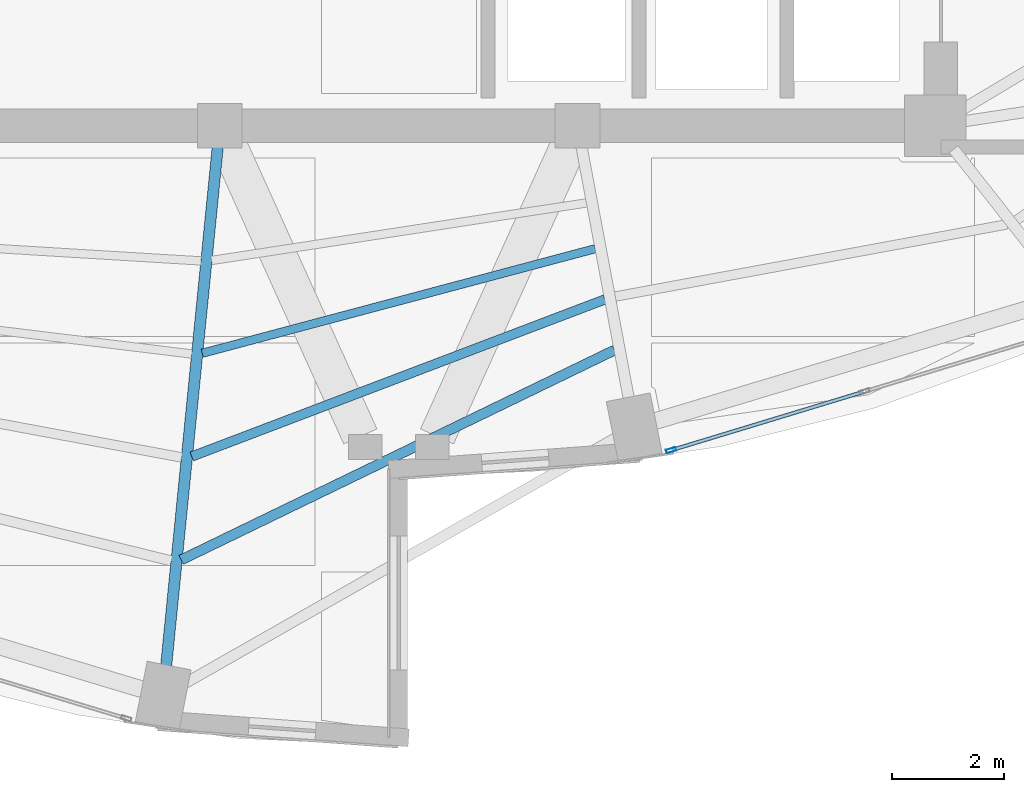
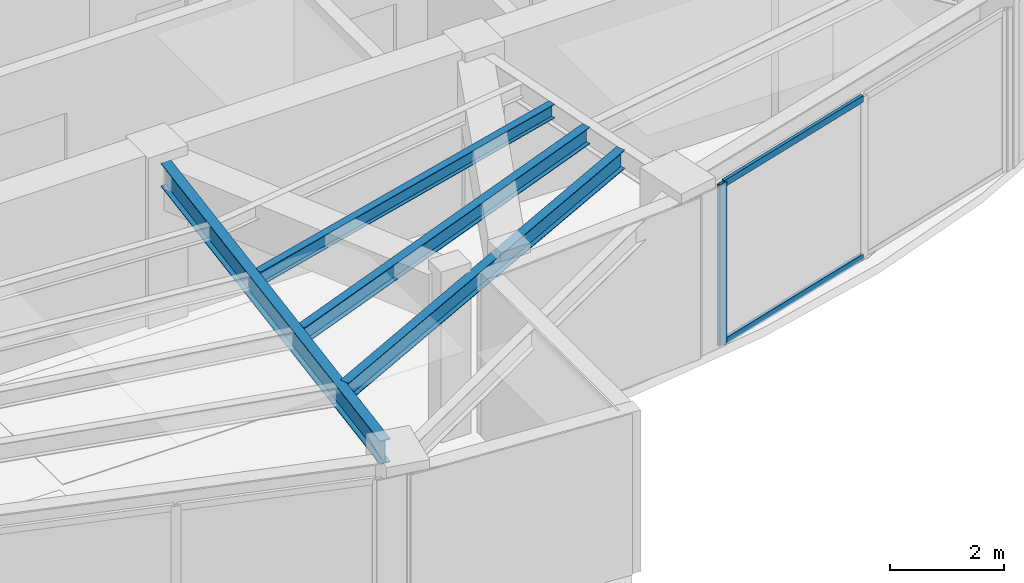
# One storey, part 6 of 22: 4 beams, 3 members, 1 element without a shape of its own.
"""IFC4 building model written with IfcOpenShell, lengths in metres."""

from ifc_helpers import new_model, si_unit, direction, frame, origin, origin_2d, place, context, subcontext, project, spatial, hollow_rectangle, i_section, extrude, material, layer, layer_set, material_profile, profile_set, type_object, element, aggregate, save


model = new_model("IFC4")

# Units and contexts
model_context = context("Model", 3, precision=1e-05, world=origin(), true_north=direction((0.0, 1.0)))
body_context = subcontext(model_context, "Body", "Model", "MODEL_VIEW")
ifc_project = project(units=[si_unit("LENGTHUNIT", "METRE"), si_unit("AREAUNIT", "SQUARE_METRE"), si_unit("VOLUMEUNIT", "CUBIC_METRE"), si_unit("PLANEANGLEUNIT", "RADIAN"), si_unit("MASSUNIT", "GRAM", prefix="KILO")], contexts=[model_context])

# Site, building, storey
site_placement = place(None, origin())
site = spatial("IfcSite", under=ifc_project, at=site_placement, CompositionType="ELEMENT")
building_placement = place(site_placement, origin())
building = spatial("IfcBuilding", under=site, at=building_placement, Name="Lazwardi Medical Tower", CompositionType="ELEMENT")
storey_placement = place(building_placement, frame((0.0, 0.0, 227.6640625)))
storey = spatial("IfcBuildingStorey", under=building, at=storey_placement, Name="L59", CompositionType="ELEMENT", Elevation=227.6640625)

# Beams
ifc_material_1 = material(Name="Steel S355", Category="steel")
ifc_material_profile_1 = material_profile(ifc_material_1, i_section(OverallWidth=0.199951171875, OverallDepth=0.5, WebThickness=0.01025390625, FlangeThickness=0.01611328125, at=origin_2d()), Name="IPE 500")
ifc_profile_set_1 = profile_set([ifc_material_profile_1], Name="Steel S355")
beam_type_1 = type_object("IfcBeamType", Name="BM-RG-W3", PredefinedType="BEAM", material=ifc_profile_set_1)
beam_1_placement = place(storey_placement, frame((31.8388671875, 10.734130859375, 3.197998046875), z_axis=(0.098954361922, 0.995091972763, 0.0), x_axis=(-0.995091972763, 0.098954361922, 0.0)))
element("IfcBeam", 1, at=beam_1_placement, inside=storey, type_object=beam_type_1, Name="Radial girder RG-04 R16 L59", PredefinedType="BEAM", context=body_context, shape_type="SweptSolid", body=[
    extrude(i_section(OverallWidth=0.199951171875, OverallDepth=0.5, WebThickness=0.01025390625, FlangeThickness=0.01611328125, at=origin_2d()), origin(), (0.0, 0.0, 1.0), 9.32861328125),
])
ifc_material_profile_2 = material_profile(ifc_material_1, i_section(OverallWidth=0.179931640625, OverallDepth=0.39990234375, WebThickness=0.008544921875, FlangeThickness=0.013427734375, at=origin_2d()), Name="IPE 400")
ifc_profile_set_2 = profile_set([ifc_material_profile_2], Name="Steel S355")
beam_type_2 = type_object("IfcBeamType", Name="BM-SJ-01", PredefinedType="JOIST", material=ifc_profile_set_2)
beam_2_placement = place(storey_placement, frame((32.10888671875, 12.632080078125, 3.248046875), z_axis=(0.900068885459, 0.435747635024, 0.0), x_axis=(-0.435747635024, 0.900068885459, 0.0)))
element("IfcBeam", 2, at=beam_2_placement, inside=storey, type_object=beam_type_2, Name="Secondary joist SJ-01 R1 B16 L59", PredefinedType="JOIST", context=body_context, shape_type="SweptSolid", body=[
    extrude(i_section(OverallWidth=0.179931640625, OverallDepth=0.39990234375, WebThickness=0.008544921875, FlangeThickness=0.013427734375, at=origin_2d()), origin(), (0.0, 0.0, 1.0), 8.612548828125),
])
ifc_material_profile_3 = material_profile(ifc_material_1, i_section(OverallWidth=0.169921875, OverallDepth=0.360107421875, WebThickness=0.008056640625, FlangeThickness=0.0126953125, at=origin_2d()), Name="IPE 360")
ifc_profile_set_3 = profile_set([ifc_material_profile_3], Name="Steel S355")
beam_type_3 = type_object("IfcBeamType", Name="BM-SJ-02", PredefinedType="JOIST", material=ifc_profile_set_3)
beam_3_placement = place(storey_placement, frame((32.296875, 14.48095703125, 3.267822265625), z_axis=(0.934714470268, 0.355399576633, 0.0), x_axis=(-0.355399576633, 0.934714470268, 0.0)))
element("IfcBeam", 3, at=beam_3_placement, inside=storey, type_object=beam_type_3, Name="Secondary joist SJ-02 R2 B16 L59", PredefinedType="JOIST", context=body_context, shape_type="SweptSolid", body=[
    extrude(i_section(OverallWidth=0.169921875, OverallDepth=0.360107421875, WebThickness=0.008056640625, FlangeThickness=0.0126953125, at=origin_2d()), origin(), (0.0, 0.0, 1.0), 7.908203125),
])
ifc_material_profile_4 = material_profile(ifc_material_1, i_section(OverallWidth=0.14990234375, OverallDepth=0.300048828125, WebThickness=0.007080078125, FlangeThickness=0.0107421875, at=origin_2d()), Name="IPE 300")
ifc_profile_set_4 = profile_set([ifc_material_profile_4], Name="Steel S355")
beam_type_4 = type_object("IfcBeamType", Name="BM-SJ-03", PredefinedType="JOIST", material=ifc_profile_set_4)
beam_4_placement = place(storey_placement, frame((32.484619140625, 16.328125, 3.2978515625), z_axis=(0.966369007826, 0.257159368316, 0.0), x_axis=(-0.257159368316, 0.966369007826, 0.0)))
element("IfcBeam", 4, at=beam_4_placement, inside=storey, type_object=beam_type_4, Name="Secondary joist SJ-03 R3 B16 L59", PredefinedType="JOIST", context=body_context, shape_type="SweptSolid", body=[
    extrude(i_section(OverallWidth=0.14990234375, OverallDepth=0.300048828125, WebThickness=0.007080078125, FlangeThickness=0.0107421875, at=origin_2d()), origin(), (0.0, 0.0, 1.0), 7.27685546875),
])

# Curtain wall, members
ifc_material_2 = material(Name="Anodised bronze aluminium and solar control glazing", Category="aluminium")
ifc_layer = layer(ifc_material_2, 0.18994140625)
ifc_layer_set = layer_set([ifc_layer], Name="Anodised bronze aluminium and solar control glazing")
curtain_wall_type = type_object("IfcCurtainWallType", Name="CW-SYS-04", PredefinedType="NOTDEFINED", material=ifc_layer_set)
curtain_wall_placement = place(storey_placement, origin())
curtain_wall = element("IfcCurtainWall", 5, at=curtain_wall_placement, inside=storey, type_object=curtain_wall_type, Name="L59 Unitised bronze curtain wall CW-04", PredefinedType="NOTDEFINED")
ifc_material_3 = material(Name="Anodised bronze aluminium", Category="aluminium")
ifc_material_profile_5 = material_profile(ifc_material_3, hollow_rectangle(XDim=0.06494140625, YDim=0.179931640625, WallThickness=0.00390625, at=origin_2d()), Name="ALU-MULLION 180x65x4")
ifc_profile_set_5 = profile_set([ifc_material_profile_5], Name="Anodised bronze aluminium")
member_type_1 = type_object("IfcMemberType", Name="CW-MUL-03", PredefinedType="MULLION", material=ifc_profile_set_5)
member_1_placement = place(storey_placement, frame((40.873046875, 14.593017578125, 0.0), z_axis=(0.0, 0.0, 1.0), x_axis=(-0.290581889515, 0.956850126972, 0.0)))
member_1 = element("IfcMember", 6, at=member_1_placement, type_object=member_type_1, Name="CW-04 mullion 1", PredefinedType="MULLION", context=body_context, shape_type="SweptSolid", body=[
    extrude(hollow_rectangle(XDim=0.06494140625, YDim=0.179931640625, WallThickness=0.00390625, at=origin_2d()), origin(), (0.0, 0.0, 1.0), 3.447998046875),
])
ifc_material_profile_6 = material_profile(ifc_material_3, hollow_rectangle(XDim=0.06494140625, YDim=0.139892578125, WallThickness=0.00341796875, at=origin_2d()), Name="ALU-TRANSOM 140x65x3.5")
ifc_profile_set_6 = profile_set([ifc_material_profile_6], Name="Anodised bronze aluminium")
member_type_2 = type_object("IfcMemberType", Name="CW-TRN-03", PredefinedType="USERDEFINED", material=ifc_profile_set_6)
member_2_placement = place(storey_placement, frame((40.904296875, 14.602294921875, 0.032470703125), z_axis=(0.956843409009, 0.290604010015, 0.0), x_axis=(-0.290604010015, 0.956843409009, 0.0)))
member_2 = element("IfcMember", 7, at=member_2_placement, type_object=member_type_2, Name="CW-04 transom 1.1", ObjectType="TRANSOM", PredefinedType="USERDEFINED", context=body_context, shape_type="SweptSolid", body=[
    extrude(hollow_rectangle(XDim=0.06494140625, YDim=0.139892578125, WallThickness=0.00341796875, at=origin_2d()), origin(), (0.0, 0.0, 1.0), 3.554443359375),
])
member_3_placement = place(storey_placement, frame((40.904296875, 14.602294921875, 3.41552734375), z_axis=(0.956843409009, 0.290604010015, 0.0), x_axis=(-0.290604010015, 0.956843409009, 0.0)))
member_3 = element("IfcMember", 8, at=member_3_placement, type_object=member_type_2, Name="CW-04 transom 1.2", ObjectType="TRANSOM", PredefinedType="USERDEFINED", context=body_context, shape_type="SweptSolid", body=[
    extrude(hollow_rectangle(XDim=0.06494140625, YDim=0.139892578125, WallThickness=0.00341796875, at=origin_2d()), origin(), (0.0, 0.0, 1.0), 3.554443359375),
])
aggregate(curtain_wall, [member_1, member_2, member_3])

save(model, "model.ifc")
